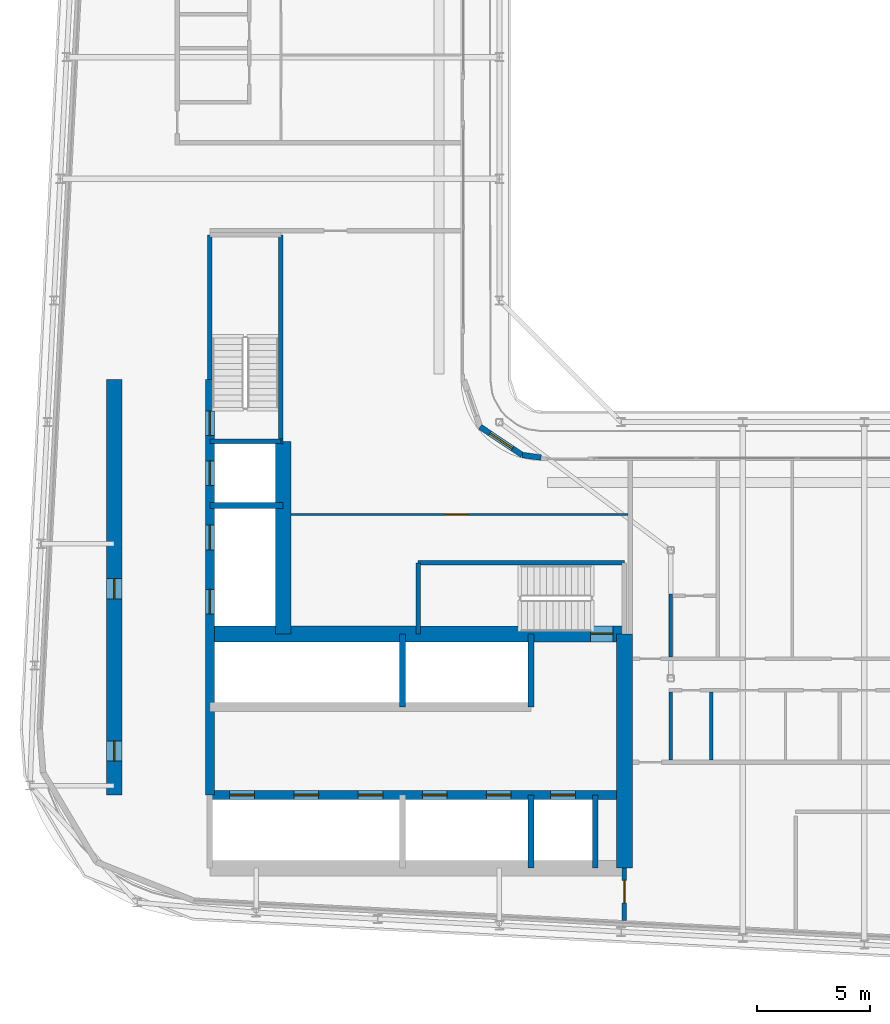
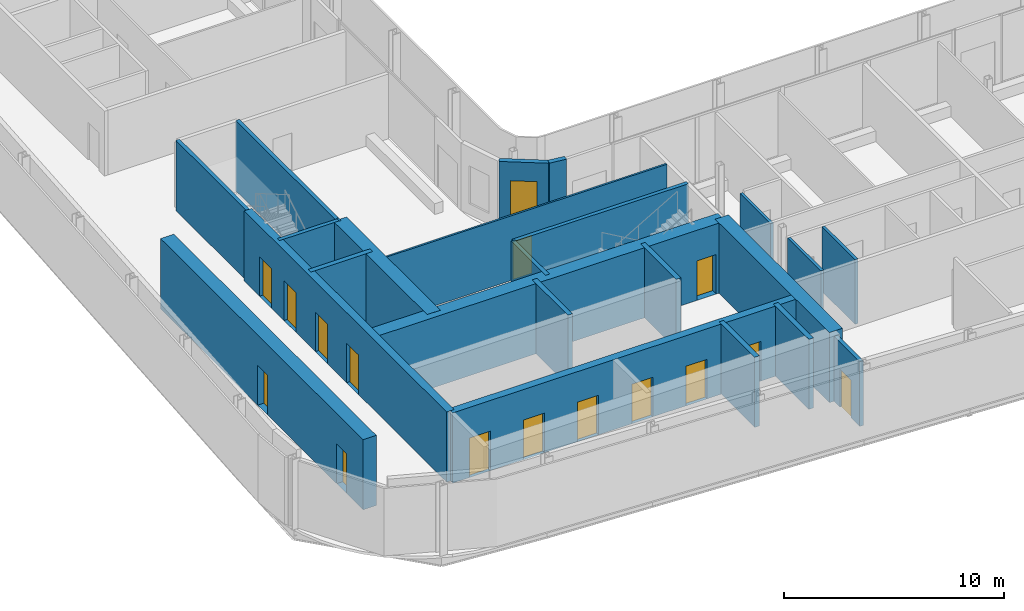
# One storey, part 10 of 21: 24 walls, 15 doors, 1 window, 16 openings.
"""IFC4 building model written with IfcOpenShell, lengths in metres."""

import ifcopenshell
import ifcopenshell.guid

model = None  # the IFC model being written
_history = None  # IfcOwnerHistory: only IFC2X3 demands one
_inside = {}  # id of a spatial element -> (the spatial element, [elements in it])
_under = {}  # id of a project, library or spatial element -> (it, [spatial elements below it])
_declared = {}  # id of a project -> (the project, [libraries it declares])
_typed = {}  # id of a type object -> (the type object, [elements of that type])
_made_of = {}  # id of a material, layer set ... -> (it, [elements and type objects made of it])


def new_model(schema):
    """Start an empty IFC model of exactly this schema.

    Asked for "IFC4X3", IfcOpenShell would pick the latest addendum, in which some entities
    have other attributes; the version numbers below select the first issue.
    IFC2X3 requires an IfcOwnerHistory on every rooted entity: one is made here for all.
    """
    global model, _history
    if schema == "IFC4X3":
        model = ifcopenshell.file(schema_version=(4, 3, 0, 0))
    else:
        model = ifcopenshell.file(schema=schema)
    _inside.clear()
    _under.clear()
    _declared.clear()
    _typed.clear()
    _made_of.clear()
    _history = None
    if model.schema == "IFC2X3":
        org = make("IfcOrganization", Name="unknown")
        user = make(
            "IfcPersonAndOrganization",
            ThePerson=make("IfcPerson", FamilyName="unknown"),
            TheOrganization=org,
        )
        app = make(
            "IfcApplication",
            ApplicationDeveloper=org,
            Version="unknown",
            ApplicationFullName="unknown",
            ApplicationIdentifier="unknown",
        )
        _history = make(
            "IfcOwnerHistory",
            OwningUser=user,
            OwningApplication=app,
            ChangeAction="ADDED",
            CreationDate=0,
        )
    return model


def make(cls, **values):
    """One entity of the class cls with the attributes given. An attribute that is None is left unset."""
    return model.create_entity(
        cls, **{name: value for name, value in values.items() if value is not None}
    )


def rooted(cls, **values):
    """An entity with a GlobalId (a new one), such as an element, a storey or a relation."""
    return make(cls, GlobalId=ifcopenshell.guid.new(), OwnerHistory=_history, **values)


def si_unit(unit_type, name, prefix=None):
    """IfcSIUnit, for example si_unit("LENGTHUNIT", "METRE", prefix="MILLI")."""
    return make("IfcSIUnit", UnitType=unit_type, Prefix=prefix, Name=name)


def assignment(units):
    """IfcUnitAssignment: the units of a project."""
    return None if units is None else make("IfcUnitAssignment", Units=units)


def point(xyz):
    """IfcCartesianPoint."""
    return None if xyz is None else make("IfcCartesianPoint", Coordinates=xyz)


def direction(xyz):
    """IfcDirection."""
    return None if xyz is None else make("IfcDirection", DirectionRatios=xyz)


def frame(location, z_axis=None, x_axis=None):
    """IfcAxis2Placement3D, a coordinate frame: its origin and axes. An axis left out is left unset."""
    return make(
        "IfcAxis2Placement3D",
        Location=point(location),
        Axis=direction(z_axis),
        RefDirection=direction(x_axis),
    )


def frame_2d(location, x_axis=None):
    """IfcAxis2Placement2D, a coordinate frame in the plane: its origin and x axis."""
    return make(
        "IfcAxis2Placement2D", Location=point(location), RefDirection=direction(x_axis)
    )


def origin():
    """The frame at (0, 0, 0) with its axes left unset."""
    return frame((0.0, 0.0, 0.0))


def place(relative_to, where):
    """IfcLocalPlacement: puts the frame where relative to a parent placement (None: the world)."""
    return make(
        "IfcLocalPlacement", PlacementRelTo=relative_to, RelativePlacement=where
    )


def context(
    kind, dimensions, precision=None, world=None, true_north=None, identifier=None
):
    """IfcGeometricRepresentationContext, for example the 3D "Model" context."""
    return make(
        "IfcGeometricRepresentationContext",
        ContextIdentifier=identifier,
        ContextType=kind,
        CoordinateSpaceDimension=dimensions,
        Precision=precision,
        WorldCoordinateSystem=world,
        TrueNorth=true_north,
    )


def subcontext(parent, identifier, kind, view, scale=None):
    """IfcGeometricRepresentationSubContext, for example "Body" below "Model"."""
    return make(
        "IfcGeometricRepresentationSubContext",
        ContextIdentifier=identifier,
        ContextType=kind,
        ParentContext=parent,
        TargetScale=scale,
        TargetView=view,
    )


def project(units=None, contexts=None):
    """IfcProject with its units and contexts."""
    return rooted(
        "IfcProject",
        Name="project",
        RepresentationContexts=contexts,
        UnitsInContext=assignment(units),
    )


def spatial(cls, under=None, at=None, **own):
    """A site, building, storey or space (cls), placed at a placement, below another one or the project."""
    s = rooted(cls, ObjectPlacement=at, **own)
    if under is not None:
        _under.setdefault(under.id(), (under, []))[1].append(s)
    return s


def profile(cls, at=None, kind="AREA", **sizes):
    """A parametric profile (cls). Its sizes go by their IFC names, for example OverallWidth=200.0."""
    return make(cls, ProfileType=kind, Position=at, **sizes)


def rectangle(**sizes):
    """IfcRectangleProfileDef."""
    return profile("IfcRectangleProfileDef", **sizes)


def extrude(swept, where, along, depth):
    """IfcExtrudedAreaSolid: the profile swept, set in the frame where, extruded along a direction by depth."""
    return make(
        "IfcExtrudedAreaSolid",
        SweptArea=swept,
        Position=where,
        ExtrudedDirection=direction(along),
        Depth=depth,
    )


def shape(context_of_items, identifier, shape_type, items):
    """IfcShapeRepresentation: the items that make up one representation, for example the "Body"."""
    return make(
        "IfcShapeRepresentation",
        ContextOfItems=context_of_items,
        RepresentationIdentifier=identifier,
        RepresentationType=shape_type,
        Items=items,
    )


def source(mapping_origin, context_of_items, identifier, shape_type, items):
    """IfcRepresentationMap: a shape defined once, which mapped items show again and again."""
    return make(
        "IfcRepresentationMap",
        MappingOrigin=mapping_origin,
        MappedRepresentation=shape(context_of_items, identifier, shape_type, items),
    )


def transform(
    local_origin,
    x_axis=None,
    y_axis=None,
    z_axis=None,
    scale=None,
    scale2=None,
    scale3=None,
    uniform=True,
):
    """IfcCartesianTransformationOperator3D, or its non-uniform kind. x_axis, y_axis, z_axis: its Axis1, 2, 3."""
    if uniform:
        return make(
            "IfcCartesianTransformationOperator3D",
            Axis1=direction(x_axis),
            Axis2=direction(y_axis),
            LocalOrigin=point(local_origin),
            Scale=scale,
            Axis3=direction(z_axis),
        )
    return make(
        "IfcCartesianTransformationOperator3DnonUniform",
        Axis1=direction(x_axis),
        Axis2=direction(y_axis),
        LocalOrigin=point(local_origin),
        Scale=scale,
        Axis3=direction(z_axis),
        Scale2=scale2,
        Scale3=scale3,
    )


def mapped(mapping_source, mapping_target):
    """IfcMappedItem: shows the shape of a source again, moved by a transform."""
    return make(
        "IfcMappedItem", MappingSource=mapping_source, MappingTarget=mapping_target
    )


def material(Name=None, Category=None):
    """IfcMaterial."""
    return make("IfcMaterial", Name=Name, Category=Category)


def layer(
    of_material, thickness, ventilated=None, Name=None, Category=None, Priority=None
):
    """IfcMaterialLayer: one layer of a wall or slab, of a material (None: an air gap)."""
    return make(
        "IfcMaterialLayer",
        Material=of_material,
        LayerThickness=thickness,
        IsVentilated=ventilated,
        Name=Name,
        Category=Category,
        Priority=Priority,
    )


def layer_set(layers, Name=None):
    """IfcMaterialLayerSet."""
    return make("IfcMaterialLayerSet", MaterialLayers=layers, LayerSetName=Name)


def made_of(thing, what):
    """Note that an element or type object is made of a material, layer set ...; save() writes the relation."""
    if what is not None:
        _made_of.setdefault(what.id(), (what, []))[1].append(thing)
    return thing


def type_object(cls, material=None, **own):
    """A type object (cls), such as IfcWallType, which elements share."""
    return made_of(rooted(cls, **own), material)


def element(
    cls,
    number,
    at=None,
    inside=None,
    cuts=None,
    type_object=None,
    material=None,
    context=None,
    identifier="Body",
    shape_type=None,
    held_by="IfcProductDefinitionShape",
    body=None,
    shapes=None,
    **own,
):
    """One element of the class cls, such as IfcWall. Its Tag is "e" and its number.

    at: its placement. inside: the storey or other place that contains it. cuts: it is an
    opening in that element (IfcRelVoidsElement). A single representation is given by context,
    identifier, shape_type and body (its items); several are given by shapes. held_by: the class
    of the entity that holds the representations. save() writes the other relations.
    """
    e = rooted(cls, Tag="e%d" % number, ObjectPlacement=at, **own)
    if body is not None:
        shapes = [shape(context, identifier, shape_type, body)]
    if shapes is not None:
        e.Representation = make(held_by, Representations=shapes)
    if inside is not None:
        _inside.setdefault(inside.id(), (inside, []))[1].append(e)
    if cuts is not None:
        rooted(
            "IfcRelVoidsElement", RelatingBuildingElement=cuts, RelatedOpeningElement=e
        )
    if type_object is not None:
        _typed.setdefault(type_object.id(), (type_object, []))[1].append(e)
    return made_of(e, material)


def fill(opening, filler):
    """IfcRelFillsElement: the door or window that sits in an opening."""
    return rooted(
        "IfcRelFillsElement",
        RelatingOpeningElement=opening,
        RelatedBuildingElement=filler,
    )


def aggregate(whole, parts):
    """IfcRelAggregates: a whole, such as a stair, and the parts it consists of."""
    return rooted("IfcRelAggregates", RelatingObject=whole, RelatedObjects=parts)


def save(model, path):
    """Write the relations noted so far, then the file.

    IfcRelAggregates (storeys below a building ...), IfcRelContainedInSpatialStructure (elements
    in a storey), IfcRelDefinesByType, IfcRelAssociatesMaterial and IfcRelDeclares: one each for
    every whole, place, type object, material and project.
    """
    for whole, parts in _under.values():
        aggregate(whole, parts)
    for where, things in _inside.values():
        rooted(
            "IfcRelContainedInSpatialStructure",
            RelatedElements=things,
            RelatingStructure=where,
        )
    for kind, things in _typed.values():
        rooted("IfcRelDefinesByType", RelatedObjects=things, RelatingType=kind)
    for what, things in _made_of.values():
        rooted("IfcRelAssociatesMaterial", RelatedObjects=things, RelatingMaterial=what)
    for by, libraries in _declared.values():
        rooted("IfcRelDeclares", RelatingContext=by, RelatedDefinitions=libraries)
    model.write(path)


model = new_model("IFC4")

# Units and contexts
model_context = context("Model", 3, precision=1e-05, world=origin(), true_north=direction((0.0, 1.0)))
body_context = subcontext(model_context, "Body", "Model", "MODEL_VIEW")
ifc_project = project(units=[si_unit("LENGTHUNIT", "METRE"), si_unit("AREAUNIT", "SQUARE_METRE"), si_unit("VOLUMEUNIT", "CUBIC_METRE"), si_unit("PLANEANGLEUNIT", "RADIAN"), si_unit("MASSUNIT", "GRAM", prefix="KILO")], contexts=[model_context])

# Site, building, storey
site_placement = place(None, origin())
site = spatial("IfcSite", under=ifc_project, at=site_placement, CompositionType="ELEMENT")
building_placement = place(site_placement, origin())
building = spatial("IfcBuilding", under=site, at=building_placement, Name="Kheshtan School and Residences Tower", CompositionType="ELEMENT")
storey_placement = place(building_placement, frame((0.0, 0.0, 235.699951171875)))
storey = spatial("IfcBuildingStorey", under=building, at=storey_placement, Name="L55", CompositionType="ELEMENT", Elevation=235.699951171875)

# Wall, openings, doors
ifc_material_1 = material(Name="Concrete C50/60", Category="concrete")
ifc_layer_1 = layer(ifc_material_1, 0.39990234375)
ifc_layer_set_1 = layer_set([ifc_layer_1], Name="Core wall 400 Concrete C50/60")
wall_type_1 = type_object("IfcWallType", Name="Core wall 400 Concrete C50/60", PredefinedType="SHEAR", material=ifc_layer_set_1)
wall_1_placement = place(storey_placement, frame((34.75, 29.050048828125, 0.0), z_axis=(0.0, 0.0, 1.0), x_axis=(1.0, 0.0, 0.0)))
wall_1 = element("IfcWall", 1, at=wall_1_placement, inside=storey, type_object=wall_type_1, Name="Core wall CW-HALL-S1", PredefinedType="SHEAR", context=body_context, shape_type="SweptSolid", body=[
    extrude(rectangle(XDim=18.39990234375, YDim=0.39990234375, at=frame_2d((9.199951171875, 0.0))), origin(), (0.0, 0.0, 1.0), 3.900146484375),
])
opening_1_placement = place(wall_1_placement, frame((0.875, 0.0, 0.0)))
opening_1 = element("IfcOpeningElement", 2, at=opening_1_placement, cuts=wall_1, Name="Opening LD", PredefinedType="OPENING", context=body_context, shape_type="SweptSolid", body=[
    extrude(rectangle(XDim=1.10009765625, YDim=2.199951171875, at=frame_2d((0.550048828125, 1.10009765625))), frame((0.0, 0.2099609375, 0.0), z_axis=(0.0, -1.0, 0.0), x_axis=(1.0, 0.0, 0.0)), (0.0, 0.0, 1.0), 0.419921875),
])
opening_2_placement = place(wall_1_placement, frame((3.72509765625, 0.0, 0.0)))
opening_2 = element("IfcOpeningElement", 3, at=opening_2_placement, cuts=wall_1, Name="Opening LD", PredefinedType="OPENING", context=body_context, shape_type="SweptSolid", body=[
    extrude(rectangle(XDim=1.10009765625, YDim=2.199951171875, at=frame_2d((0.550048828125, 1.10009765625))), frame((0.0, 0.2099609375, 0.0), z_axis=(0.0, -1.0, 0.0), x_axis=(1.0, 0.0, 0.0)), (0.0, 0.0, 1.0), 0.419921875),
])
opening_3_placement = place(wall_1_placement, frame((6.574951171875, 0.0, 0.0)))
opening_3 = element("IfcOpeningElement", 4, at=opening_3_placement, cuts=wall_1, Name="Opening LD", PredefinedType="OPENING", context=body_context, shape_type="SweptSolid", body=[
    extrude(rectangle(XDim=1.10009765625, YDim=2.199951171875, at=frame_2d((0.550048828125, 1.10009765625))), frame((0.0, 0.2099609375, 0.0), z_axis=(0.0, -1.0, 0.0), x_axis=(1.0, 0.0, 0.0)), (0.0, 0.0, 1.0), 0.419921875),
])
opening_4_placement = place(wall_1_placement, frame((9.425048828125, 0.0, 0.0)))
opening_4 = element("IfcOpeningElement", 5, at=opening_4_placement, cuts=wall_1, Name="Opening LD", PredefinedType="OPENING", context=body_context, shape_type="SweptSolid", body=[
    extrude(rectangle(XDim=1.10009765625, YDim=2.199951171875, at=frame_2d((0.550048828125, 1.10009765625))), frame((0.0, 0.2099609375, 0.0), z_axis=(0.0, -1.0, 0.0), x_axis=(1.0, 0.0, 0.0)), (0.0, 0.0, 1.0), 0.419921875),
])
opening_5_placement = place(wall_1_placement, frame((12.27490234375, 0.0, 0.0)))
opening_5 = element("IfcOpeningElement", 6, at=opening_5_placement, cuts=wall_1, Name="Opening LD", PredefinedType="OPENING", context=body_context, shape_type="SweptSolid", body=[
    extrude(rectangle(XDim=1.10009765625, YDim=2.199951171875, at=frame_2d((0.550048828125, 1.10009765625))), frame((0.0, 0.2099609375, 0.0), z_axis=(0.0, -1.0, 0.0), x_axis=(1.0, 0.0, 0.0)), (0.0, 0.0, 1.0), 0.419921875),
])
opening_6_placement = place(wall_1_placement, frame((15.125, 0.0, 0.0)))
opening_6 = element("IfcOpeningElement", 7, at=opening_6_placement, cuts=wall_1, Name="Opening LD", PredefinedType="OPENING", context=body_context, shape_type="SweptSolid", body=[
    extrude(rectangle(XDim=1.10009765625, YDim=2.199951171875, at=frame_2d((0.550048828125, 1.10009765625))), frame((0.0, 0.2099609375, 0.0), z_axis=(0.0, -1.0, 0.0), x_axis=(1.0, 0.0, 0.0)), (0.0, 0.0, 1.0), 0.419921875),
])
ifc_material_2 = material(Name="Stainless steel door leaves", Category="steel")
door_type_1 = type_object("IfcDoorType", Name="Lift landing door 1100", OperationType="SLIDING_TO_LEFT", PredefinedType="DOOR", material=ifc_material_2)
shared_shape_1 = source(origin(), body_context, "Body", "SweptSolid", [
    extrude(rectangle(XDim=1.10009765625, YDim=2.199951171875, at=frame_2d((0.550048828125, 1.10009765625))), frame((0.0, 0.02490234375, 0.0), z_axis=(0.0, -1.0, 0.0), x_axis=(1.0, 0.0, 0.0)), (0.0, 0.0, 1.0), 0.050048828125),
])
door_1_placement = place(opening_1_placement, origin())
door_1 = element("IfcDoor", 8, at=door_1_placement, inside=storey, type_object=door_type_1, Name="Lift P7 landing door", OperationType="SLIDING_TO_LEFT", OverallHeight=2.199951171875, OverallWidth=1.10009765625, PredefinedType="DOOR", context=body_context, shape_type="MappedRepresentation", body=[
    mapped(shared_shape_1, transform((0.0, 0.0, 0.0), x_axis=(1.0, 0.0, 0.0), y_axis=(0.0, 1.0, 0.0), z_axis=(0.0, 0.0, 1.0), scale=1.0)),
])
fill(opening_1, door_1)
door_2_placement = place(opening_2_placement, origin())
door_2 = element("IfcDoor", 9, at=door_2_placement, inside=storey, type_object=door_type_1, Name="Lift P8 landing door", OperationType="SLIDING_TO_LEFT", OverallHeight=2.199951171875, OverallWidth=1.10009765625, PredefinedType="DOOR", context=body_context, shape_type="MappedRepresentation", body=[
    mapped(shared_shape_1, transform((0.0, 0.0, 0.0), x_axis=(1.0, 0.0, 0.0), y_axis=(0.0, 1.0, 0.0), z_axis=(0.0, 0.0, 1.0), scale=1.0)),
])
fill(opening_2, door_2)
door_3_placement = place(opening_3_placement, origin())
door_3 = element("IfcDoor", 10, at=door_3_placement, inside=storey, type_object=door_type_1, Name="Lift P9 landing door", OperationType="SLIDING_TO_LEFT", OverallHeight=2.199951171875, OverallWidth=1.10009765625, PredefinedType="DOOR", context=body_context, shape_type="MappedRepresentation", body=[
    mapped(shared_shape_1, transform((0.0, 0.0, 0.0), x_axis=(1.0, 0.0, 0.0), y_axis=(0.0, 1.0, 0.0), z_axis=(0.0, 0.0, 1.0), scale=1.0)),
])
fill(opening_3, door_3)
door_4_placement = place(opening_4_placement, origin())
door_4 = element("IfcDoor", 11, at=door_4_placement, inside=storey, type_object=door_type_1, Name="Lift P10 landing door", OperationType="SLIDING_TO_LEFT", OverallHeight=2.199951171875, OverallWidth=1.10009765625, PredefinedType="DOOR", context=body_context, shape_type="MappedRepresentation", body=[
    mapped(shared_shape_1, transform((0.0, 0.0, 0.0), x_axis=(1.0, 0.0, 0.0), y_axis=(0.0, 1.0, 0.0), z_axis=(0.0, 0.0, 1.0), scale=1.0)),
])
fill(opening_4, door_4)
door_5_placement = place(opening_5_placement, origin())
door_5 = element("IfcDoor", 12, at=door_5_placement, inside=storey, type_object=door_type_1, Name="Lift P11 landing door", OperationType="SLIDING_TO_LEFT", OverallHeight=2.199951171875, OverallWidth=1.10009765625, PredefinedType="DOOR", context=body_context, shape_type="MappedRepresentation", body=[
    mapped(shared_shape_1, transform((0.0, 0.0, 0.0), x_axis=(1.0, 0.0, 0.0), y_axis=(0.0, 1.0, 0.0), z_axis=(0.0, 0.0, 1.0), scale=1.0)),
])
fill(opening_5, door_5)
door_6_placement = place(opening_6_placement, origin())
door_6 = element("IfcDoor", 13, at=door_6_placement, inside=storey, type_object=door_type_1, Name="Lift FFL2 landing door", OperationType="SLIDING_TO_LEFT", OverallHeight=2.199951171875, OverallWidth=1.10009765625, PredefinedType="DOOR", context=body_context, shape_type="MappedRepresentation", body=[
    mapped(shared_shape_1, transform((0.0, 0.0, 0.0), x_axis=(1.0, 0.0, 0.0), y_axis=(0.0, 1.0, 0.0), z_axis=(0.0, 0.0, 1.0), scale=1.0)),
])
fill(opening_6, door_6)

wall_2_placement = place(storey_placement, frame((34.75, 29.050048828125, 0.0), z_axis=(0.0, 0.0, 1.0), x_axis=(0.0, 1.0, 0.0)))
wall_2 = element("IfcWall", 14, at=wall_2_placement, inside=storey, type_object=wall_type_1, Name="Core wall CW-HALL-W1", PredefinedType="SHEAR", context=body_context, shape_type="SweptSolid", body=[
    extrude(rectangle(XDim=18.449951171875, YDim=0.39990234375, at=frame_2d((9.22509765625, 0.0))), origin(), (0.0, 0.0, 1.0), 3.900146484375),
])
opening_7_placement = place(wall_2_placement, frame((8.02490234375, 0.0, 0.0)))
opening_7 = element("IfcOpeningElement", 15, at=opening_7_placement, cuts=wall_2, Name="Opening LD", PredefinedType="OPENING", context=body_context, shape_type="SweptSolid", body=[
    extrude(rectangle(XDim=1.10009765625, YDim=2.199951171875, at=frame_2d((0.550048828125, 1.10009765625))), frame((0.0, 0.2099609375, 0.0), z_axis=(0.0, -1.0, 0.0), x_axis=(1.0, 0.0, 0.0)), (0.0, 0.0, 1.0), 0.419921875),
])
opening_8_placement = place(wall_2_placement, frame((10.875, 0.0, 0.0)))
opening_8 = element("IfcOpeningElement", 16, at=opening_8_placement, cuts=wall_2, Name="Opening LD", PredefinedType="OPENING", context=body_context, shape_type="SweptSolid", body=[
    extrude(rectangle(XDim=1.10009765625, YDim=2.199951171875, at=frame_2d((0.550048828125, 1.10009765625))), frame((0.0, 0.2099609375, 0.0), z_axis=(0.0, -1.0, 0.0), x_axis=(1.0, 0.0, 0.0)), (0.0, 0.0, 1.0), 0.419921875),
])
opening_9_placement = place(wall_2_placement, frame((13.72509765625, 0.0, 0.0)))
opening_9 = element("IfcOpeningElement", 17, at=opening_9_placement, cuts=wall_2, Name="Opening LD", PredefinedType="OPENING", context=body_context, shape_type="SweptSolid", body=[
    extrude(rectangle(XDim=1.10009765625, YDim=2.199951171875, at=frame_2d((0.550048828125, 1.10009765625))), frame((0.0, 0.2099609375, 0.0), z_axis=(0.0, -1.0, 0.0), x_axis=(1.0, 0.0, 0.0)), (0.0, 0.0, 1.0), 0.419921875),
])
opening_10_placement = place(wall_2_placement, frame((15.949951171875, 0.0, 0.0)))
opening_10 = element("IfcOpeningElement", 18, at=opening_10_placement, cuts=wall_2, Name="Opening ST2D", PredefinedType="OPENING", context=body_context, shape_type="SweptSolid", body=[
    extrude(rectangle(XDim=1.10009765625, YDim=2.199951171875, at=frame_2d((0.550048828125, 1.10009765625))), frame((0.0, 0.2099609375, 0.0), z_axis=(0.0, -1.0, 0.0), x_axis=(1.0, 0.0, 0.0)), (0.0, 0.0, 1.0), 0.419921875),
])
door_7_placement = place(opening_7_placement, origin())
door_7 = element("IfcDoor", 19, at=door_7_placement, inside=storey, type_object=door_type_1, Name="Lift SV1 landing door", OperationType="SLIDING_TO_LEFT", OverallHeight=2.199951171875, OverallWidth=1.10009765625, PredefinedType="DOOR", context=body_context, shape_type="MappedRepresentation", body=[
    mapped(shared_shape_1, transform((0.0, 0.0, 0.0), x_axis=(1.0, 0.0, 0.0), y_axis=(0.0, 1.0, 0.0), z_axis=(0.0, 0.0, 1.0), scale=1.0)),
])
fill(opening_7, door_7)
door_8_placement = place(opening_8_placement, origin())
door_8 = element("IfcDoor", 20, at=door_8_placement, inside=storey, type_object=door_type_1, Name="Lift SV2 landing door", OperationType="SLIDING_TO_LEFT", OverallHeight=2.199951171875, OverallWidth=1.10009765625, PredefinedType="DOOR", context=body_context, shape_type="MappedRepresentation", body=[
    mapped(shared_shape_1, transform((0.0, 0.0, 0.0), x_axis=(1.0, 0.0, 0.0), y_axis=(0.0, 1.0, 0.0), z_axis=(0.0, 0.0, 1.0), scale=1.0)),
])
fill(opening_8, door_8)
door_9_placement = place(opening_9_placement, origin())
door_9 = element("IfcDoor", 21, at=door_9_placement, inside=storey, type_object=door_type_1, Name="Lift FFL1 landing door", OperationType="SLIDING_TO_LEFT", OverallHeight=2.199951171875, OverallWidth=1.10009765625, PredefinedType="DOOR", context=body_context, shape_type="MappedRepresentation", body=[
    mapped(shared_shape_1, transform((0.0, 0.0, 0.0), x_axis=(1.0, 0.0, 0.0), y_axis=(0.0, 1.0, 0.0), z_axis=(0.0, 0.0, 1.0), scale=1.0)),
])
fill(opening_9, door_9)
ifc_material_3 = material(Name="Steel door leaf, galvanised", Category="steel")
door_type_2 = type_object("IfcDoorType", Name="Stair door 1100 steel 90 min", OperationType="SINGLE_SWING_LEFT", PredefinedType="DOOR", material=ifc_material_3)
shared_shape_2 = source(origin(), body_context, "Body", "SweptSolid", [
    extrude(rectangle(XDim=1.10009765625, YDim=2.199951171875, at=frame_2d((0.550048828125, 1.10009765625))), frame((0.0, 0.02490234375, 0.0), z_axis=(0.0, -1.0, 0.0), x_axis=(1.0, 0.0, 0.0)), (0.0, 0.0, 1.0), 0.050048828125),
])
door_10_placement = place(opening_10_placement, origin())
door_10 = element("IfcDoor", 22, at=door_10_placement, inside=storey, type_object=door_type_2, Name="Stair ST2 door", OperationType="SINGLE_SWING_RIGHT", OverallHeight=2.199951171875, OverallWidth=1.10009765625, PredefinedType="DOOR", context=body_context, shape_type="MappedRepresentation", body=[
    mapped(shared_shape_2, transform((0.0, 0.0, 0.0), x_axis=(1.0, 0.0, 0.0), y_axis=(0.0, 1.0, 0.0), z_axis=(0.0, 0.0, 1.0), scale=1.0)),
])
fill(opening_10, door_10)

# Wall, opening, door
ifc_material_4 = material(Name="Concrete C70/85", Category="concrete")
ifc_layer_2 = layer(ifc_material_4, 0.699951171875)
ifc_layer_set_2 = layer_set([ifc_layer_2], Name="Core wall 700 Concrete C70/85")
wall_type_2 = type_object("IfcWallType", Name="Core wall 700 Concrete C70/85", PredefinedType="SHEAR", material=ifc_layer_set_2)
wall_3_placement = place(storey_placement, frame((34.75, 36.199951171875, 0.0), z_axis=(0.0, 0.0, 1.0), x_axis=(1.0, 0.0, 0.0)))
wall_3 = element("IfcWall", 23, at=wall_3_placement, inside=storey, type_object=wall_type_2, Name="Core wall CW-FRONT-S", PredefinedType="SHEAR", context=body_context, shape_type="SweptSolid", body=[
    extrude(rectangle(XDim=18.39990234375, YDim=0.699951171875, at=frame_2d((9.199951171875, 0.0))), origin(), (0.0, 0.0, 1.0), 3.900146484375),
])
opening_11_placement = place(wall_3_placement, frame((16.89990234375, 0.0, 0.0)))
opening_11 = element("IfcOpeningElement", 24, at=opening_11_placement, cuts=wall_3, Name="Opening ST1D", PredefinedType="OPENING", context=body_context, shape_type="SweptSolid", body=[
    extrude(rectangle(XDim=1.0, YDim=2.199951171875, at=frame_2d((0.5, 1.10009765625))), frame((0.0, 0.35986328125, 0.0), z_axis=(0.0, -1.0, 0.0), x_axis=(1.0, 0.0, 0.0)), (0.0, 0.0, 1.0), 0.719970703125),
])
shared_shape_3 = source(origin(), body_context, "Body", "SweptSolid", [
    extrude(rectangle(XDim=1.0, YDim=2.199951171875, at=frame_2d((0.5, 1.10009765625))), frame((0.0, 0.02490234375, 0.0), z_axis=(0.0, -1.0, 0.0), x_axis=(1.0, 0.0, 0.0)), (0.0, 0.0, 1.0), 0.050048828125),
])
door_11_placement = place(opening_11_placement, origin())
door_11 = element("IfcDoor", 25, at=door_11_placement, inside=storey, type_object=door_type_2, Name="Stair ST1 door", OperationType="SINGLE_SWING_RIGHT", OverallHeight=2.199951171875, OverallWidth=1.0, PredefinedType="DOOR", context=body_context, shape_type="MappedRepresentation", body=[
    mapped(shared_shape_3, transform((0.0, 0.0, 0.0), x_axis=(1.0, 0.0, 0.0), y_axis=(0.0, 1.0, 0.0), z_axis=(0.0, 0.0, 1.0), scale=1.0)),
])
fill(opening_11, door_11)

# Wall
wall_4_placement = place(storey_placement, frame((38.0, 36.199951171875, 0.0), z_axis=(0.0, 0.0, 1.0), x_axis=(0.0, 1.0, 0.0)))
element("IfcWall", 26, at=wall_4_placement, inside=storey, type_object=wall_type_2, Name="Core wall CW-FRONT-W", PredefinedType="SHEAR", context=body_context, shape_type="SweptSolid", body=[
    extrude(rectangle(XDim=8.550048828125, YDim=0.699951171875, at=frame_2d((4.27490234375, 0.0))), origin(), (0.0, 0.0, 1.0), 3.900146484375),
])

# Wall, openings, doors
wall_5_placement = place(storey_placement, frame((30.5, 29.050048828125, 0.0), z_axis=(0.0, 0.0, 1.0), x_axis=(0.0, 1.0, 0.0)))
wall_5 = element("IfcWall", 27, at=wall_5_placement, inside=storey, type_object=wall_type_2, Name="Core wall CW-REAR-W", PredefinedType="SHEAR", context=body_context, shape_type="SweptSolid", body=[
    extrude(rectangle(XDim=18.449951171875, YDim=0.699951171875, at=frame_2d((9.22509765625, 0.0))), origin(), (0.0, 0.0, 1.0), 3.900146484375),
])
opening_12_placement = place(wall_5_placement, frame((1.5, 0.0, 0.0)))
opening_12 = element("IfcOpeningElement", 28, at=opening_12_placement, cuts=wall_5, Name="Opening SR90", PredefinedType="OPENING", context=body_context, shape_type="SweptSolid", body=[
    extrude(rectangle(XDim=0.89990234375, YDim=2.199951171875, at=frame_2d((0.449951171875, 1.10009765625))), frame((0.0, 0.35986328125, 0.0), z_axis=(0.0, -1.0, 0.0), x_axis=(1.0, 0.0, 0.0)), (0.0, 0.0, 1.0), 0.719970703125),
])
opening_13_placement = place(wall_5_placement, frame((8.705078125, 0.0, 0.0)))
opening_13 = element("IfcOpeningElement", 29, at=opening_13_placement, cuts=wall_5, Name="Opening SR90", PredefinedType="OPENING", context=body_context, shape_type="SweptSolid", body=[
    extrude(rectangle(XDim=0.89990234375, YDim=2.199951171875, at=frame_2d((0.449951171875, 1.10009765625))), frame((0.0, 0.35986328125, 0.0), z_axis=(0.0, -1.0, 0.0), x_axis=(1.0, 0.0, 0.0)), (0.0, 0.0, 1.0), 0.719970703125),
])
door_type_3 = type_object("IfcDoorType", Name="Service room door 900 steel 90 min", OperationType="SINGLE_SWING_LEFT", PredefinedType="DOOR", material=ifc_material_3)
shared_shape_4 = source(origin(), body_context, "Body", "SweptSolid", [
    extrude(rectangle(XDim=0.89990234375, YDim=2.199951171875, at=frame_2d((0.449951171875, 1.10009765625))), frame((0.0, 0.02490234375, 0.0), z_axis=(0.0, -1.0, 0.0), x_axis=(1.0, 0.0, 0.0)), (0.0, 0.0, 1.0), 0.050048828125),
])
door_12_placement = place(opening_12_placement, origin())
door_12 = element("IfcDoor", 30, at=door_12_placement, inside=storey, type_object=door_type_3, Name="Service room door", OperationType="SINGLE_SWING_LEFT", OverallHeight=2.199951171875, OverallWidth=0.89990234375, PredefinedType="DOOR", context=body_context, shape_type="MappedRepresentation", body=[
    mapped(shared_shape_4, transform((0.0, 0.0, 0.0), x_axis=(1.0, 0.0, 0.0), y_axis=(0.0, 1.0, 0.0), z_axis=(0.0, 0.0, 1.0), scale=1.0)),
])
fill(opening_12, door_12)
door_13_placement = place(opening_13_placement, origin())
door_13 = element("IfcDoor", 31, at=door_13_placement, inside=storey, type_object=door_type_3, Name="Service room door", OperationType="SINGLE_SWING_LEFT", OverallHeight=2.199951171875, OverallWidth=0.89990234375, PredefinedType="DOOR", context=body_context, shape_type="MappedRepresentation", body=[
    mapped(shared_shape_4, transform((0.0, 0.0, 0.0), x_axis=(1.0, 0.0, 0.0), y_axis=(0.0, 1.0, 0.0), z_axis=(0.0, 0.0, 1.0), scale=1.0)),
])
fill(opening_13, door_13)

# Wall
wall_6_placement = place(storey_placement, frame((53.14990234375, 25.800048828125, 0.0), z_axis=(0.0, 0.0, 1.0), x_axis=(0.0, 1.0, 0.0)))
element("IfcWall", 32, at=wall_6_placement, inside=storey, type_object=wall_type_2, Name="Core wall CW-EAST", PredefinedType="SHEAR", context=body_context, shape_type="SweptSolid", body=[
    extrude(rectangle(XDim=10.39990234375, YDim=0.699951171875, at=frame_2d((5.199951171875, 0.0))), origin(), (0.0, 0.0, 1.0), 3.900146484375),
])

# Wall, opening, door
ifc_material_5 = material(Name="Gypsum board on steel studs with fire boards", Category="steel")
ifc_layer_3 = layer(ifc_material_5, 0.199951171875)
ifc_layer_set_3 = layer_set([ifc_layer_3], Name="Corridor wall 200")
wall_type_3 = type_object("IfcWallType", Name="Corridor wall 200", PredefinedType="PARTITIONING", material=ifc_layer_set_3)
wall_7_placement = place(storey_placement, frame((53.14990234375, 23.472412109375, 0.0), z_axis=(0.0, 0.0, 1.0), x_axis=(0.0, 1.0, 0.0)))
wall_7 = element("IfcWall", 33, at=wall_7_placement, inside=storey, type_object=wall_type_3, Name="Partition L55-022", PredefinedType="PARTITIONING", context=body_context, shape_type="SweptSolid", body=[
    extrude(rectangle(XDim=2.32763671875, YDim=0.199951171875, at=frame_2d((1.163818359375, 0.0))), origin(), (0.0, 0.0, 1.0), 3.60009765625),
])
opening_14_placement = place(wall_7_placement, frame((0.784912109375, 0.0, 0.0)))
opening_14 = element("IfcOpeningElement", 34, at=opening_14_placement, cuts=wall_7, Name="Opening D54-035", PredefinedType="OPENING", context=body_context, shape_type="SweptSolid", body=[
    extrude(rectangle(XDim=1.0, YDim=2.10009765625, at=frame_2d((0.5, 1.050048828125))), frame((0.0, 0.10986328125, 0.0), z_axis=(0.0, -1.0, 0.0), x_axis=(1.0, 0.0, 0.0)), (0.0, 0.0, 1.0), 0.219970703125),
])
ifc_material_6 = material(Name="Steel-framed fire-resisting door leaf", Category="steel")
door_type_4 = type_object("IfcDoorType", Name="Fire door FD60 1000 x 2100", OperationType="SINGLE_SWING_LEFT", PredefinedType="DOOR", material=ifc_material_6)
shared_shape_5 = source(origin(), body_context, "Body", "SweptSolid", [
    extrude(rectangle(XDim=1.0, YDim=2.10009765625, at=frame_2d((0.5, 1.050048828125))), frame((0.0, 0.02490234375, 0.0), z_axis=(0.0, -1.0, 0.0), x_axis=(1.0, 0.0, 0.0)), (0.0, 0.0, 1.0), 0.050048828125),
])
door_14_placement = place(opening_14_placement, origin())
door_14 = element("IfcDoor", 35, at=door_14_placement, inside=storey, type_object=door_type_4, Name="Door D54-035", OperationType="SINGLE_SWING_RIGHT", OverallHeight=2.10009765625, OverallWidth=1.0, PredefinedType="DOOR", context=body_context, shape_type="MappedRepresentation", body=[
    mapped(shared_shape_5, transform((0.0, 0.0, 0.0), x_axis=(1.0, 0.0, 0.0), y_axis=(0.0, 1.0, 0.0), z_axis=(0.0, 0.0, 1.0), scale=1.0)),
])
fill(opening_14, door_14)

# Wall, opening, window
ifc_material_7 = material(Name="Concrete C40/50 with ceramic cladding and mineral wool insulation", Category="concrete")
ifc_layer_4 = layer(ifc_material_7, 0.25)
ifc_layer_set_4 = layer_set([ifc_layer_4], Name="External wall 250 ceramic clad")
wall_type_4 = type_object("IfcWallType", Name="External wall 250 ceramic clad", PredefinedType="SOLIDWALL", material=ifc_layer_set_4)
wall_8_placement = place(storey_placement, frame((46.742919921875, 45.388916015625, 0.0), z_axis=(0.0, 0.0, 1.0), x_axis=(0.831449265529, -0.555600682912, 0.0)))
wall_8 = element("IfcWall", 36, at=wall_8_placement, inside=storey, type_object=wall_type_4, Name="External wall L55 6", PredefinedType="SOLIDWALL", context=body_context, shape_type="SweptSolid", body=[
    extrude(rectangle(XDim=2.25146484375, YDim=0.25, at=frame_2d((1.125732421875, 0.0))), origin(), (0.0, 0.0, 1.0), 3.75),
])
opening_15_placement = place(wall_8_placement, frame((0.52490234375, 0.0, 0.60009765625)))
opening_15 = element("IfcOpeningElement", 37, at=opening_15_placement, cuts=wall_8, Name="Opening WN-E", PredefinedType="OPENING", context=body_context, shape_type="SweptSolid", body=[
    extrude(rectangle(XDim=1.199951171875, YDim=2.10009765625, at=frame_2d((0.60009765625, 1.050048828125))), frame((0.0, 0.135009765625, 0.0), z_axis=(0.0, -1.0, 0.0), x_axis=(1.0, 0.0, 0.0)), (0.0, 0.0, 1.0), 0.27001953125),
])
ifc_material_8 = material(Name="Clear low-e glass in thermally broken aluminium frame", Category="aluminium")
window_type = type_object("IfcWindowType", Name="Window WN-E", PartitioningType="SINGLE_PANEL", PredefinedType="WINDOW", material=ifc_material_8)
shared_shape_6 = source(origin(), body_context, "Body", "SweptSolid", [
    extrude(rectangle(XDim=1.199951171875, YDim=2.10009765625, at=frame_2d((0.60009765625, 1.050048828125))), frame((0.0, 0.030029296875, 0.0), z_axis=(0.0, -1.0, 0.0), x_axis=(1.0, 0.0, 0.0)), (0.0, 0.0, 1.0), 0.06005859375),
])
window_placement = place(opening_15_placement, origin())
window = element("IfcWindow", 38, at=window_placement, inside=storey, type_object=window_type, Name="Window L55 6", OverallHeight=2.10009765625, OverallWidth=1.199951171875, PartitioningType="SINGLE_PANEL", PredefinedType="WINDOW", context=body_context, shape_type="MappedRepresentation", body=[
    mapped(shared_shape_6, transform((0.0, 0.0, 0.0), x_axis=(1.0, 0.0, 0.0), y_axis=(0.0, 1.0, 0.0), z_axis=(0.0, 0.0, 1.0), scale=1.0)),
])
fill(opening_15, window)

# Wall
wall_9_placement = place(storey_placement, frame((48.614990234375, 44.137939453125, 0.0), z_axis=(0.0, 0.0, 1.0), x_axis=(0.990741504246, -0.135761819977, 0.0)))
element("IfcWall", 39, at=wall_9_placement, inside=storey, type_object=wall_type_4, Name="External wall L55 7", PredefinedType="SOLIDWALL", context=body_context, shape_type="SweptSolid", body=[
    extrude(rectangle(XDim=0.83984375, YDim=0.25, at=frame_2d((0.419921875, 0.0))), origin(), (0.0, 0.0, 1.0), 3.75),
])

# Wall, opening, door
ifc_material_9 = material(Name="Gypsum board on steel studs", Category="steel")
ifc_layer_5 = layer(ifc_material_9, 0.10009765625)
ifc_layer_set_5 = layer_set([ifc_layer_5], Name="Gypsum partition 100")
wall_type_5 = type_object("IfcWallType", Name="Gypsum partition 100", PredefinedType="PARTITIONING", material=ifc_layer_set_5)
wall_10_placement = place(storey_placement, frame((38.34912109375, 41.5, 0.0), z_axis=(0.0, 0.0, 1.0), x_axis=(1.0, 0.0, 0.0)))
wall_10 = element("IfcWall", 40, at=wall_10_placement, inside=storey, type_object=wall_type_5, Name="Partition L55-021", PredefinedType="PARTITIONING", context=body_context, shape_type="SweptSolid", body=[
    extrude(rectangle(XDim=14.950927734375, YDim=0.10009765625, at=frame_2d((7.4755859375, 0.0))), origin(), (0.0, 0.0, 1.0), 3.60009765625),
])
opening_16_placement = place(wall_10_placement, frame((6.85107421875, 0.0, 0.0)))
opening_16 = element("IfcOpeningElement", 41, at=opening_16_placement, cuts=wall_10, Name="Opening D54-034", PredefinedType="OPENING", context=body_context, shape_type="SweptSolid", body=[
    extrude(rectangle(XDim=1.0, YDim=2.10009765625, at=frame_2d((0.5, 1.050048828125))), frame((0.0, 0.06005859375, 0.0), z_axis=(0.0, -1.0, 0.0), x_axis=(1.0, 0.0, 0.0)), (0.0, 0.0, 1.0), 0.1201171875),
])
ifc_material_10 = material(Name="Veneered timber door leaf", Category="wood")
door_type_5 = type_object("IfcDoorType", Name="Door 1000 x 2100", OperationType="SINGLE_SWING_LEFT", PredefinedType="DOOR", material=ifc_material_10)
shared_shape_7 = source(origin(), body_context, "Body", "SweptSolid", [
    extrude(rectangle(XDim=1.0, YDim=2.10009765625, at=frame_2d((0.5, 1.050048828125))), frame((0.0, 0.02490234375, 0.0), z_axis=(0.0, -1.0, 0.0), x_axis=(1.0, 0.0, 0.0)), (0.0, 0.0, 1.0), 0.050048828125),
])
door_15_placement = place(opening_16_placement, origin())
door_15 = element("IfcDoor", 42, at=door_15_placement, inside=storey, type_object=door_type_5, Name="Door D54-034", OperationType="SINGLE_SWING_RIGHT", OverallHeight=2.10009765625, OverallWidth=1.0, PredefinedType="DOOR", context=body_context, shape_type="MappedRepresentation", body=[
    mapped(shared_shape_7, transform((0.0, 0.0, 0.0), x_axis=(1.0, 0.0, 0.0), y_axis=(0.0, 1.0, 0.0), z_axis=(0.0, 0.0, 1.0), scale=1.0)),
])
fill(opening_16, door_15)

# Walls
ifc_material_11 = material(Name="Fire-board shaft wall system")
ifc_layer_6 = layer(ifc_material_11, 0.25)
ifc_layer_set_6 = layer_set([ifc_layer_6], Name="Shaft lining wall 250")
wall_type_6 = type_object("IfcWallType", Name="Shaft lining wall 250", PredefinedType="PARTITIONING", material=ifc_layer_set_6)
for number, where, z_axis, x_axis, name in (
    (43, (43.300048828125, 32.949951171875, 0.0), (0.0, 0.0, 1.0), (0.0, 1.0, 0.0), "Shaft lining wall"),
    (44, (49.0, 25.800048828125, 0.0), (0.0, 0.0, 1.0), (0.0, 1.0, 0.0), "Shaft lining wall"),
    (45, (49.0, 32.949951171875, 0.0), (0.0, 0.0, 1.0), (0.0, 1.0, 0.0), "Shaft lining wall"),
    (46, (51.85009765625, 25.800048828125, 0.0), (0.0, 0.0, 1.0), (0.0, 1.0, 0.0), "Shaft lining wall"),
    (47, (34.75, 41.89990234375, 0.0), (0.0, 0.0, 1.0), (1.0, 0.0, 0.0), "Shaft lining wall"),
):
    element("IfcWall", number, at=place(storey_placement, frame(where, z_axis=z_axis, x_axis=x_axis)), inside=storey, type_object=wall_type_6, Name=name, PredefinedType="PARTITIONING", context=body_context, shape_type="SweptSolid", body=[
        extrude(rectangle(XDim=3.25, YDim=0.25, at=frame_2d((1.625, 0.0))), origin(), (0.0, 0.0, 1.0), 3.900146484375),
    ])
wall_11_placement = place(storey_placement, frame((37.89990234375, 44.75, 0.0), z_axis=(0.0, 0.0, 1.0), x_axis=(1.0, 0.0, 0.0)))
element("IfcWall", 48, at=wall_11_placement, inside=storey, type_object=wall_type_6, Name="Shaft lining wall", PredefinedType="PARTITIONING", context=body_context, shape_type="SweptSolid", body=[
    extrude(rectangle(XDim=0.10009765625, YDim=0.25, at=frame_2d((0.050048828125, 0.0))), origin(), (0.0, 0.0, 1.0), 3.900146484375),
])
ifc_material_12 = material(Name="Concrete C40/50", Category="concrete")
ifc_layer_7 = layer(ifc_material_12, 0.199951171875)
ifc_layer_set_7 = layer_set([ifc_layer_7], Name="Stair enclosure wall 200 Concrete C40/50")
wall_type_7 = type_object("IfcWallType", Name="Stair enclosure wall 200 Concrete C40/50", PredefinedType="SHEAR", material=ifc_layer_set_7)
wall_12_placement = place(storey_placement, frame((43.989990234375, 39.35009765625, 0.0), z_axis=(0.0, 0.0, 1.0), x_axis=(1.0, 0.0, 0.0)))
element("IfcWall", 49, at=wall_12_placement, inside=storey, type_object=wall_type_7, Name="Stair enclosure wall ST1", PredefinedType="SHEAR", context=body_context, shape_type="SweptSolid", body=[
    extrude(rectangle(XDim=9.159912109375, YDim=0.199951171875, at=frame_2d((4.580078125, 0.0))), origin(), (0.0, 0.0, 1.0), 3.900146484375),
])
wall_13_placement = place(storey_placement, frame((43.989990234375, 36.199951171875, 0.0), z_axis=(0.0, 0.0, 1.0), x_axis=(0.0, 1.0, 0.0)))
element("IfcWall", 50, at=wall_13_placement, inside=storey, type_object=wall_type_7, Name="Stair enclosure wall ST1", PredefinedType="SHEAR", context=body_context, shape_type="SweptSolid", body=[
    extrude(rectangle(XDim=3.150146484375, YDim=0.199951171875, at=frame_2d((1.5751953125, 0.0))), origin(), (0.0, 0.0, 1.0), 3.900146484375),
])
wall_14_placement = place(storey_placement, frame((34.75, 44.75, 0.0), z_axis=(0.0, 0.0, 1.0), x_axis=(1.0, 0.0, 0.0)))
element("IfcWall", 51, at=wall_14_placement, inside=storey, type_object=wall_type_7, Name="Stair enclosure wall ST2", PredefinedType="SHEAR", context=body_context, shape_type="SweptSolid", body=[
    extrude(rectangle(XDim=3.14990234375, YDim=0.199951171875, at=frame_2d((1.574951171875, 0.0))), origin(), (0.0, 0.0, 1.0), 3.900146484375),
])
wall_15_placement = place(storey_placement, frame((34.75, 47.5, 0.0), z_axis=(0.0, 0.0, 1.0), x_axis=(0.0, 1.0, 0.0)))
element("IfcWall", 52, at=wall_15_placement, inside=storey, type_object=wall_type_7, Name="Stair enclosure wall ST2", PredefinedType="SHEAR", context=body_context, shape_type="SweptSolid", body=[
    extrude(rectangle(XDim=6.409912109375, YDim=0.199951171875, at=frame_2d((3.205078125, 0.0))), origin(), (0.0, 0.0, 1.0), 3.900146484375),
])
wall_16_placement = place(storey_placement, frame((37.89990234375, 44.75, 0.0), z_axis=(0.0, 0.0, 1.0), x_axis=(0.0, 1.0, 0.0)))
element("IfcWall", 53, at=wall_16_placement, inside=storey, type_object=wall_type_7, Name="Stair enclosure wall ST2", PredefinedType="SHEAR", context=body_context, shape_type="SweptSolid", body=[
    extrude(rectangle(XDim=9.159912109375, YDim=0.199951171875, at=frame_2d((4.580078125, 0.0))), origin(), (0.0, 0.0, 1.0), 3.900146484375),
])
ifc_material_13 = material(Name="Moisture-resistant gypsum board on steel studs", Category="steel")
ifc_layer_8 = layer(ifc_material_13, 0.14990234375)
ifc_layer_set_8 = layer_set([ifc_layer_8], Name="Wet-room partition 150")
wall_type_8 = type_object("IfcWallType", Name="Wet-room partition 150", PredefinedType="PARTITIONING", material=ifc_layer_set_8)
wall_17_placement = place(storey_placement, frame((55.199951171875, 30.60009765625, 0.0), z_axis=(0.0, 0.0, 1.0), x_axis=(0.0, 1.0, 0.0)))
element("IfcWall", 54, at=wall_17_placement, inside=storey, type_object=wall_type_8, Name="Partition L55-027", PredefinedType="PARTITIONING", context=body_context, shape_type="SweptSolid", body=[
    extrude(rectangle(XDim=3.02490234375, YDim=0.14990234375, at=frame_2d((1.512451171875, 0.0))), origin(), (0.0, 0.0, 1.0), 3.60009765625),
])
wall_18_placement = place(storey_placement, frame((55.199951171875, 35.175048828125, 0.0), z_axis=(0.0, 0.0, 1.0), x_axis=(0.0, 1.0, 0.0)))
element("IfcWall", 55, at=wall_18_placement, inside=storey, type_object=wall_type_8, Name="Partition L55-028", PredefinedType="PARTITIONING", context=body_context, shape_type="SweptSolid", body=[
    extrude(rectangle(XDim=2.800048828125, YDim=0.14990234375, at=frame_2d((1.39990234375, 0.0))), origin(), (0.0, 0.0, 1.0), 3.447021484375),
])
wall_19_placement = place(storey_placement, frame((57.0, 30.60009765625, 0.0), z_axis=(0.0, 0.0, 1.0), x_axis=(0.0, 1.0, 0.0)))
element("IfcWall", 56, at=wall_19_placement, inside=storey, type_object=wall_type_8, Name="Partition L55-030", PredefinedType="PARTITIONING", context=body_context, shape_type="SweptSolid", body=[
    extrude(rectangle(XDim=3.02490234375, YDim=0.14990234375, at=frame_2d((1.512451171875, 0.0))), origin(), (0.0, 0.0, 1.0), 3.60009765625),
])

save(model, "model.ifc")
